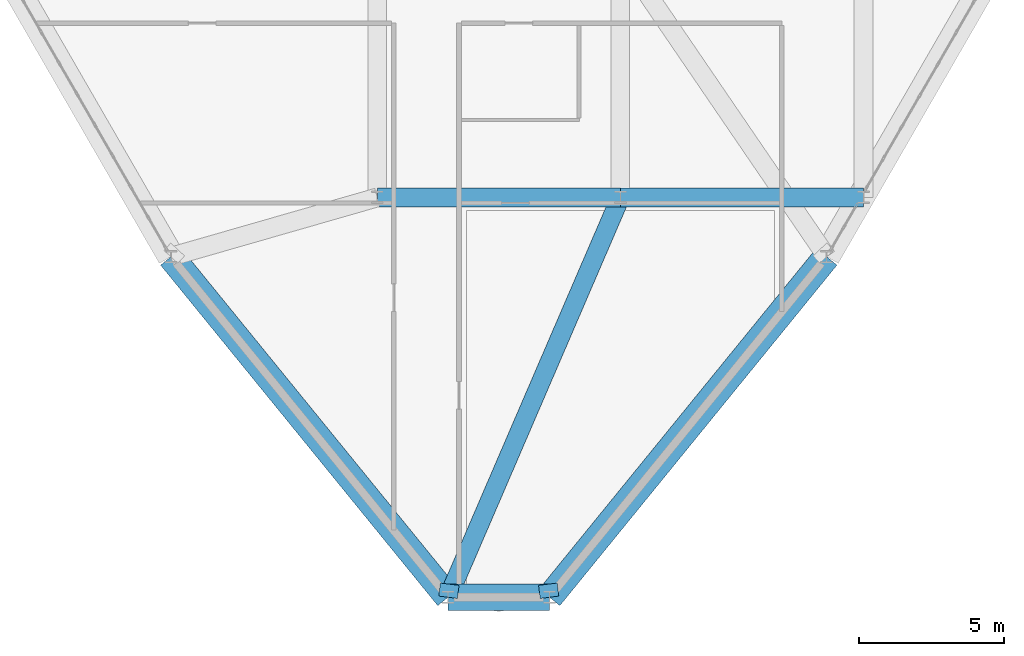
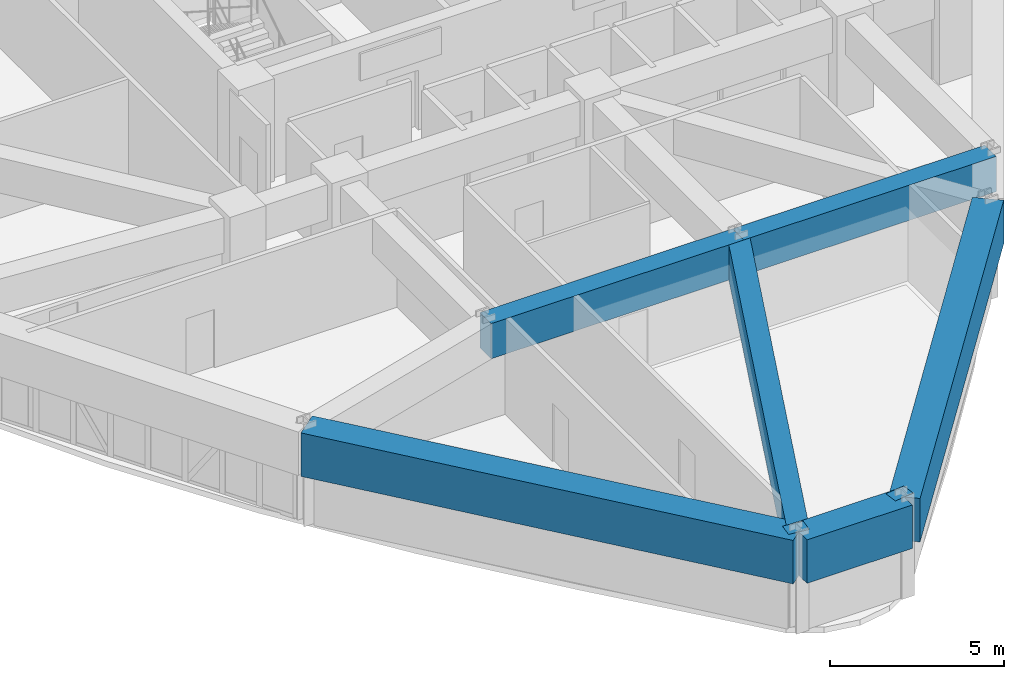
# One storey, part 3 of 13: 8 beams.
"""IFC4 building model written with IfcOpenShell, lengths in metres."""

from ifc_helpers import new_model, si_unit, derived_unit, direction, frame, origin, origin_2d, place, context, subcontext, project, spatial, rectangle, extrude, source, transform, mapped, material, material_profile, profile_set, type_object, element, save


model = new_model("IFC4")

# Units and contexts
model_context = context("Model", 3, precision=1e-05, world=origin(), true_north=direction((0.0, 1.0)))
body_context = subcontext(model_context, "Body", "Model", "MODEL_VIEW")
ifc_project = project(units=[si_unit("LENGTHUNIT", "METRE"), si_unit("AREAUNIT", "SQUARE_METRE"), si_unit("VOLUMEUNIT", "CUBIC_METRE"), si_unit("PLANEANGLEUNIT", "RADIAN"), si_unit("MASSUNIT", "GRAM", prefix="KILO"), derived_unit("THERMALTRANSMITTANCEUNIT", [(si_unit("POWERUNIT", "WATT"), 1), (si_unit("LENGTHUNIT", "METRE"), -2), (si_unit("THERMODYNAMICTEMPERATUREUNIT", "KELVIN"), -1)])], contexts=[model_context])

# Site, building, storey
site_placement = place(None, origin())
site = spatial("IfcSite", under=ifc_project, at=site_placement, CompositionType="ELEMENT")
building_placement = place(site_placement, origin())
building = spatial("IfcBuilding", under=site, at=building_placement, Name="Korsvarv Bourse and Concert Hall", CompositionType="ELEMENT")
storey_placement = place(building_placement, frame((0.0, 0.0, 154.199951171875)))
storey = spatial("IfcBuildingStorey", under=building, at=storey_placement, Name="L39", CompositionType="ELEMENT", Elevation=154.199951171875)

# Beams
ifc_material = material(Name="Concrete C50/60", Category="concrete")
ifc_material_profile_1 = material_profile(ifc_material, rectangle(XDim=0.64990234375, YDim=1.239990234375, at=origin_2d()), Name="RC-BM 650x1240")
ifc_profile_set_1 = profile_set([ifc_material_profile_1], Name="Concrete C50/60")
beam_type_1 = type_object("IfcBeamType", Name="BM-TR-SPN", PredefinedType="BEAM", material=ifc_profile_set_1)
shared_shape_1 = source(origin(), body_context, "Body", "SweptSolid", [
    extrude(rectangle(XDim=0.64990234375, YDim=1.239990234375, at=origin_2d()), origin(), (0.0, 0.0, 1.0), 8.39990234375),
])
for number, where, z_axis, x_axis, name in (
    (1, (27.60009765625, 24.0, 2.780029296875), (1.0, 0.0, 0.0), (0.0, 1.0, 0.0), "L39 beam B-TRS"),
    (2, (36.0, 24.0, 2.780029296875), (1.0, 0.0, 0.0), (0.0, 1.0, 0.0), "L39 beam B-TRS"),
):
    element("IfcBeam", number, at=place(storey_placement, frame(where, z_axis=z_axis, x_axis=x_axis)), inside=storey, type_object=beam_type_1, Name=name, PredefinedType="BEAM", context=body_context, shape_type="MappedRepresentation", body=[
        mapped(shared_shape_1, transform((0.0, 0.0, 0.0), scale=1.0)),
    ])
ifc_material_profile_2 = material_profile(ifc_material, rectangle(XDim=0.919921875, YDim=1.530029296875, at=origin_2d()), Name="RC-BM 920x1530")
ifc_profile_set_2 = profile_set([ifc_material_profile_2], Name="Concrete C50/60")
beam_type_2 = type_object("IfcBeamType", Name="BM-TR-154", PredefinedType="BEAM", material=ifc_profile_set_2)
shared_shape_2 = source(origin(), body_context, "Body", "SweptSolid", [
    extrude(rectangle(XDim=0.919921875, YDim=1.530029296875, at=origin_2d()), origin(), (0.0, 0.0, 1.0), 3.505859375),
])
beam_1_placement = place(storey_placement, frame((30.047119140625, 10.183837890625, 2.635009765625), z_axis=(1.0, 0.0, 0.0), x_axis=(0.0, 1.0, 0.0)))
element("IfcBeam", 3, at=beam_1_placement, inside=storey, type_object=beam_type_2, Name="L39 beam B-TR6", PredefinedType="BEAM", context=body_context, shape_type="MappedRepresentation", body=[
    mapped(shared_shape_2, transform((0.0, 0.0, 0.0), scale=1.0)),
])
shared_shape_3 = source(origin(), body_context, "Body", "SweptSolid", [
    extrude(rectangle(XDim=0.919921875, YDim=1.530029296875, at=origin_2d()), origin(), (0.0, 0.0, 1.0), 15.1728515625),
])
for number, where, z_axis, x_axis, name in (
    (4, (20.469482421875, 21.951904296875, 2.635009765625), (0.631230883331, -0.775594979309, 0.0), (0.775594979309, 0.631230883331, 0.0), "L39 beam B-TR6"),
    (5, (33.552978515625, 10.183837890625, 2.635009765625), (0.631221203973, 0.775602856915, 0.0), (-0.775602856915, 0.631221203973, 0.0), "L39 beam B-TR6"),
):
    element("IfcBeam", number, at=place(storey_placement, frame(where, z_axis=z_axis, x_axis=x_axis)), inside=storey, type_object=beam_type_2, Name=name, PredefinedType="BEAM", context=body_context, shape_type="MappedRepresentation", body=[
        mapped(shared_shape_3, transform((0.0, 0.0, 0.0), scale=1.0)),
    ])
shared_shape_4 = source(origin(), body_context, "Body", "SweptSolid", [
    extrude(rectangle(XDim=0.64990234375, YDim=1.239990234375, at=origin_2d()), origin(), (0.0, 0.0, 1.0), 15.0439453125),
])
beam_2_placement = place(storey_placement, frame((30.047119140625, 10.183837890625, 2.780029296875), z_axis=(0.395696969547, 0.918381134547, 0.0), x_axis=(-0.918381134547, 0.395696969547, 0.0)))
element("IfcBeam", 6, at=beam_2_placement, inside=storey, type_object=beam_type_1, Name="L39 beam B-TRS", PredefinedType="BEAM", context=body_context, shape_type="MappedRepresentation", body=[
    mapped(shared_shape_4, transform((0.0, 0.0, 0.0), scale=1.0)),
])
shared_shape_5 = source(origin(), body_context, "Body", "SweptSolid", [
    extrude(rectangle(XDim=0.64990234375, YDim=1.239990234375, at=origin_2d()), origin(), (0.0, 0.0, 1.0), 0.455078125),
])
for number, where, z_axis, x_axis, name in (
    (7, (30.047119140625, 10.183837890625, 2.780029296875), (0.125553447558, 0.992086856987, 0.0), (-0.992086856987, 0.125553447558, 0.0), "L39 beam B-TRS"),
    (8, (33.552978515625, 10.183837890625, 2.780029296875), (-0.126081489273, 0.992019887937, 0.0), (-0.992019887937, -0.126081489273, 0.0), "L39 beam B-TRS"),
):
    element("IfcBeam", number, at=place(storey_placement, frame(where, z_axis=z_axis, x_axis=x_axis)), inside=storey, type_object=beam_type_1, Name=name, PredefinedType="BEAM", context=body_context, shape_type="MappedRepresentation", body=[
        mapped(shared_shape_5, transform((0.0, 0.0, 0.0), scale=1.0)),
    ])

save(model, "model.ifc")
